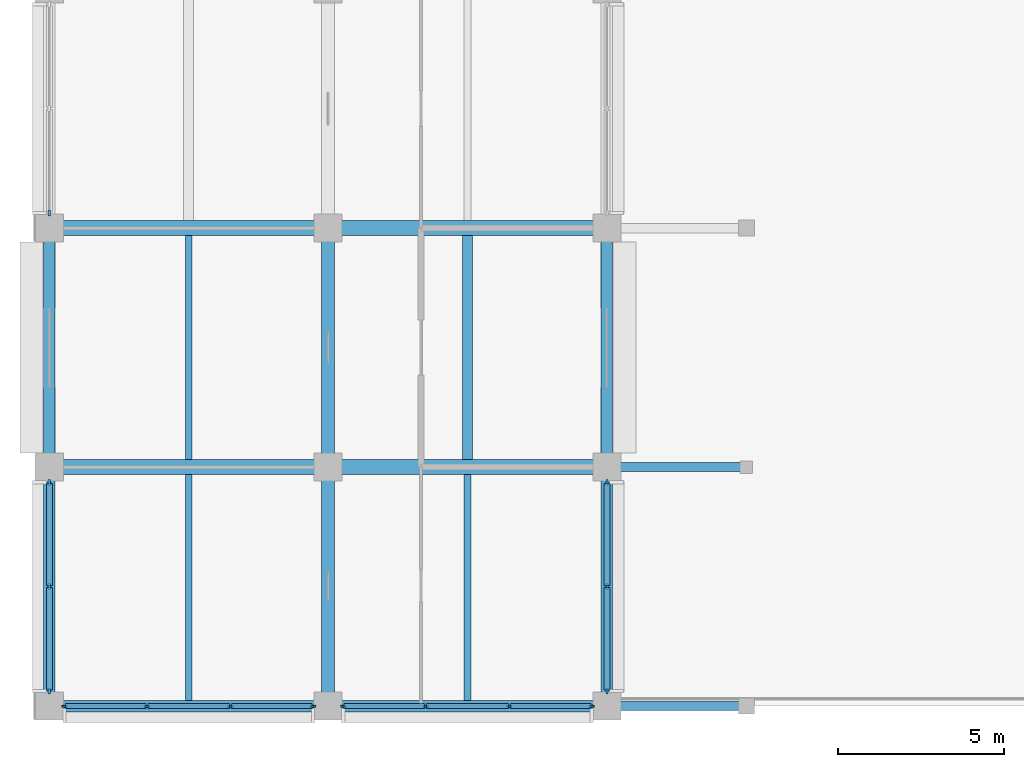
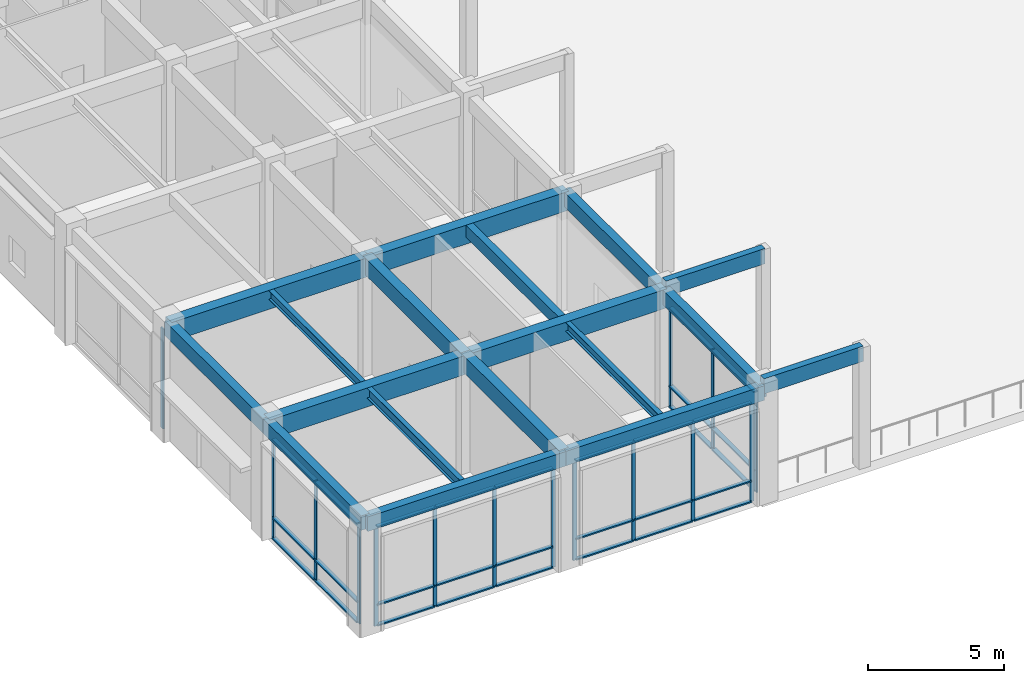
# One storey, part 8 of 73: 45 members, 18 beams, 5 elements without a shape of their own.
"""IFC4 building model written with IfcOpenShell, lengths in metres."""

from ifc_helpers import new_model, si_unit, direction, frame, origin, origin_2d, place, context, subcontext, project, spatial, rectangle, i_section, extrude, material, layer, layer_set, material_profile, profile_set, type_object, element, aggregate, save


model = new_model("IFC4")

# Units and contexts
model_context = context("Model", 3, precision=1e-05, world=origin(), true_north=direction((0.0, 1.0)))
body_context = subcontext(model_context, "Body", "Model", "MODEL_VIEW")
ifc_project = project(units=[si_unit("LENGTHUNIT", "METRE"), si_unit("AREAUNIT", "SQUARE_METRE"), si_unit("VOLUMEUNIT", "CUBIC_METRE"), si_unit("PLANEANGLEUNIT", "RADIAN"), si_unit("MASSUNIT", "GRAM", prefix="KILO")], contexts=[model_context])

# Site, building, storey
site_placement = place(None, origin())
site = spatial("IfcSite", under=ifc_project, at=site_placement, CompositionType="ELEMENT")
building_placement = place(site_placement, origin())
building = spatial("IfcBuilding", under=site, at=building_placement, Name="Chengyuan Square Courthouse", CompositionType="ELEMENT")
storey_placement = place(building_placement, origin())
storey = spatial("IfcBuildingStorey", under=building, at=storey_placement, Name="L01", CompositionType="ELEMENT", Elevation=0.0)

# Beams
ifc_material_1 = material(Name="Concrete C40", Category="concrete")
ifc_material_profile_1 = material_profile(ifc_material_1, rectangle(XDim=0.449951171875, YDim=0.85009765625, at=origin_2d()), Name="RC-BM-450x850")
ifc_profile_set_1 = profile_set([ifc_material_profile_1], Name="Concrete C40")
beam_type_1 = type_object("IfcBeamType", Name="BM-01", PredefinedType="USERDEFINED", material=ifc_profile_set_1)
beam_1_placement = place(storey_placement, frame((0.0, 7.199951171875, 4.695068359375), z_axis=(1.0, 0.0, 0.0), x_axis=(0.0, 1.0, 0.0)))
element("IfcBeam", 1, at=beam_1_placement, inside=storey, type_object=beam_type_1, Name="Girder BM-L01-1645", ObjectType="GIRDER", PredefinedType="USERDEFINED", context=body_context, shape_type="SweptSolid", body=[
    extrude(rectangle(XDim=0.449951171875, YDim=0.85009765625, at=origin_2d()), origin(), (0.0, 0.0, 1.0), 8.39990234375),
])
beam_2_placement = place(storey_placement, frame((8.39990234375, 7.199951171875, 4.695068359375), z_axis=(1.0, 0.0, 0.0), x_axis=(0.0, 1.0, 0.0)))
element("IfcBeam", 2, at=beam_2_placement, inside=storey, type_object=beam_type_1, Name="Girder BM-L01-1646", ObjectType="GIRDER", PredefinedType="USERDEFINED", context=body_context, shape_type="SweptSolid", body=[
    extrude(rectangle(XDim=0.449951171875, YDim=0.85009765625, at=origin_2d()), origin(), (0.0, 0.0, 1.0), 8.400146484375),
])
beam_3_placement = place(storey_placement, frame((0.0, 14.39990234375, 4.695068359375), z_axis=(1.0, 0.0, 0.0), x_axis=(0.0, 1.0, 0.0)))
element("IfcBeam", 3, at=beam_3_placement, inside=storey, type_object=beam_type_1, Name="Girder BM-L01-1649", ObjectType="GIRDER", PredefinedType="USERDEFINED", context=body_context, shape_type="SweptSolid", body=[
    extrude(rectangle(XDim=0.449951171875, YDim=0.85009765625, at=origin_2d()), origin(), (0.0, 0.0, 1.0), 8.39990234375),
])
beam_4_placement = place(storey_placement, frame((8.39990234375, 14.39990234375, 4.695068359375), z_axis=(1.0, 0.0, 0.0), x_axis=(0.0, 1.0, 0.0)))
element("IfcBeam", 4, at=beam_4_placement, inside=storey, type_object=beam_type_1, Name="Girder BM-L01-1650", ObjectType="GIRDER", PredefinedType="USERDEFINED", context=body_context, shape_type="SweptSolid", body=[
    extrude(rectangle(XDim=0.449951171875, YDim=0.85009765625, at=origin_2d()), origin(), (0.0, 0.0, 1.0), 8.400146484375),
])
ifc_material_profile_2 = material_profile(ifc_material_1, rectangle(XDim=0.39990234375, YDim=0.75, at=origin_2d()), Name="RC-BM-400x750")
ifc_profile_set_2 = profile_set([ifc_material_profile_2], Name="Concrete C40")
beam_type_2 = type_object("IfcBeamType", Name="BM-02", PredefinedType="USERDEFINED", material=ifc_profile_set_2)
for number, where, z_axis, x_axis, name in (
    (5, (8.39990234375, 0.0, 4.7451171875), (0.0, 1.0, 0.0), (-1.0, 0.0, 0.0), "Girder BM-L01-1812"),
    (6, (8.39990234375, 7.199951171875, 4.7451171875), (0.0, 1.0, 0.0), (-1.0, 0.0, 0.0), "Girder BM-L01-1813"),
):
    element("IfcBeam", number, at=place(storey_placement, frame(where, z_axis=z_axis, x_axis=x_axis)), inside=storey, type_object=beam_type_2, Name=name, ObjectType="GIRDER", PredefinedType="USERDEFINED", context=body_context, shape_type="SweptSolid", body=[
        extrude(rectangle(XDim=0.39990234375, YDim=0.75, at=origin_2d()), origin(), (0.0, 0.0, 1.0), 7.199951171875),
    ])
ifc_material_profile_3 = material_profile(ifc_material_1, rectangle(XDim=0.35009765625, YDim=0.64990234375, at=origin_2d()), Name="RC-BM-350x650")
ifc_profile_set_3 = profile_set([ifc_material_profile_3], Name="Concrete C40")
beam_type_3 = type_object("IfcBeamType", Name="BM-03", PredefinedType="SPANDREL", material=ifc_profile_set_3)
beam_5_placement = place(storey_placement, frame((0.0, 0.0, 4.794921875), z_axis=(1.0, 0.0, 0.0), x_axis=(0.0, 1.0, 0.0)))
element("IfcBeam", 7, at=beam_5_placement, inside=storey, type_object=beam_type_3, Name="Girder BM-L01-1641", PredefinedType="SPANDREL", context=body_context, shape_type="SweptSolid", body=[
    extrude(rectangle(XDim=0.35009765625, YDim=0.64990234375, at=origin_2d()), origin(), (0.0, 0.0, 1.0), 8.39990234375),
])
beam_6_placement = place(storey_placement, frame((8.39990234375, 0.0, 4.794921875), z_axis=(1.0, 0.0, 0.0), x_axis=(0.0, 1.0, 0.0)))
element("IfcBeam", 8, at=beam_6_placement, inside=storey, type_object=beam_type_3, Name="Girder BM-L01-1642", PredefinedType="SPANDREL", context=body_context, shape_type="SweptSolid", body=[
    extrude(rectangle(XDim=0.35009765625, YDim=0.64990234375, at=origin_2d()), origin(), (0.0, 0.0, 1.0), 8.400146484375),
])
for number, where, z_axis, x_axis, name in (
    (9, (0.0, 0.0, 4.794921875), (0.0, 1.0, 0.0), (-1.0, 0.0, 0.0), "Girder BM-L01-1797"),
    (10, (0.0, 7.199951171875, 4.794921875), (0.0, 1.0, 0.0), (-1.0, 0.0, 0.0), "Girder BM-L01-1798"),
    (11, (16.800048828125, 0.0, 4.794921875), (0.0, 1.0, 0.0), (-1.0, 0.0, 0.0), "Girder BM-L01-1827"),
    (12, (16.800048828125, 7.199951171875, 4.794921875), (0.0, 1.0, 0.0), (-1.0, 0.0, 0.0), "Girder BM-L01-1828"),
):
    element("IfcBeam", number, at=place(storey_placement, frame(where, z_axis=z_axis, x_axis=x_axis)), inside=storey, type_object=beam_type_3, Name=name, PredefinedType="SPANDREL", context=body_context, shape_type="SweptSolid", body=[
        extrude(rectangle(XDim=0.35009765625, YDim=0.64990234375, at=origin_2d()), origin(), (0.0, 0.0, 1.0), 7.199951171875),
    ])
ifc_material_profile_4 = material_profile(ifc_material_1, rectangle(XDim=0.300048828125, YDim=0.550048828125, at=origin_2d()), Name="RC-BM-300x550")
ifc_profile_set_4 = profile_set([ifc_material_profile_4], Name="Concrete C40")
beam_type_4 = type_object("IfcBeamType", Name="BM-04", PredefinedType="BEAM", material=ifc_profile_set_4)
beam_7_placement = place(storey_placement, frame((12.60009765625, 7.425048828125, 4.844970703125), z_axis=(0.0, 1.0, 0.0), x_axis=(-1.0, 0.0, 0.0)))
element("IfcBeam", 13, at=beam_7_placement, inside=storey, type_object=beam_type_4, Name="Secondary Floor Beam SBM-L01-1973", PredefinedType="BEAM", context=body_context, shape_type="SweptSolid", body=[
    extrude(rectangle(XDim=0.300048828125, YDim=0.550048828125, at=origin_2d()), origin(), (0.0, 0.0, 1.0), 6.75),
])
ifc_material_2 = material(Name="Steel Q355B", Category="steel")
ifc_material_profile_5 = material_profile(ifc_material_2, i_section(OverallWidth=0.199951171875, OverallDepth=0.449951171875, WebThickness=0.009033203125, FlangeThickness=0.013916015625, at=origin_2d()), Name="HN 450x200x9x14")
ifc_profile_set_5 = profile_set([ifc_material_profile_5], Name="Steel Q355B")
beam_type_5 = type_object("IfcBeamType", Name="BM-06", PredefinedType="BEAM", material=ifc_profile_set_5)
beam_8_placement = place(storey_placement, frame((4.199951171875, 0.175048828125, 4.89501953125), z_axis=(0.0, 1.0, 0.0), x_axis=(-1.0, 0.0, 0.0)))
element("IfcBeam", 14, at=beam_8_placement, inside=storey, type_object=beam_type_5, Name="Secondary Floor Beam SBM-L01-1957", PredefinedType="BEAM", context=body_context, shape_type="SweptSolid", body=[
    extrude(i_section(OverallWidth=0.199951171875, OverallDepth=0.449951171875, WebThickness=0.009033203125, FlangeThickness=0.013916015625, at=origin_2d()), origin(), (0.0, 0.0, 1.0), 6.800048828125),
])
ifc_material_profile_6 = material_profile(ifc_material_2, i_section(OverallWidth=0.199951171875, OverallDepth=0.39990234375, WebThickness=0.008056640625, FlangeThickness=0.012939453125, at=origin_2d()), Name="HN 400x200x8x13")
ifc_profile_set_6 = profile_set([ifc_material_profile_6], Name="Steel Q355B")
beam_type_6 = type_object("IfcBeamType", Name="BM-07", PredefinedType="BEAM", material=ifc_profile_set_6)
beam_9_placement = place(storey_placement, frame((4.199951171875, 7.425048828125, 4.919921875), z_axis=(0.0, 1.0, 0.0), x_axis=(-1.0, 0.0, 0.0)))
element("IfcBeam", 15, at=beam_9_placement, inside=storey, type_object=beam_type_6, Name="Secondary Floor Beam SBM-L01-1958", PredefinedType="BEAM", context=body_context, shape_type="SweptSolid", body=[
    extrude(i_section(OverallWidth=0.199951171875, OverallDepth=0.39990234375, WebThickness=0.008056640625, FlangeThickness=0.012939453125, at=origin_2d()), origin(), (0.0, 0.0, 1.0), 6.75),
])
beam_10_placement = place(storey_placement, frame((12.60009765625, 0.175048828125, 4.919921875), z_axis=(0.0, 1.0, 0.0), x_axis=(-1.0, 0.0, 0.0)))
element("IfcBeam", 16, at=beam_10_placement, inside=storey, type_object=beam_type_6, Name="Secondary Floor Beam SBM-L01-1972", PredefinedType="BEAM", context=body_context, shape_type="SweptSolid", body=[
    extrude(i_section(OverallWidth=0.199951171875, OverallDepth=0.39990234375, WebThickness=0.008056640625, FlangeThickness=0.012939453125, at=origin_2d()), origin(), (0.0, 0.0, 1.0), 6.800048828125),
])

# Curtain wall, members
ifc_material_3 = material(Name="Unitised Aluminium and Triple Low-E Glass", Category="aluminium")
ifc_layer_1 = layer(ifc_material_3, 0.159912109375)
ifc_layer_set_1 = layer_set([ifc_layer_1], Name="Unitised Aluminium and Triple Low-E Glass")
curtain_wall_type_1 = type_object("IfcCurtainWallType", Name="CW-01", PredefinedType="USERDEFINED", material=ifc_layer_set_1)
curtain_wall_1_placement = place(storey_placement, origin())
curtain_wall_1 = element("IfcCurtainWall", 17, at=curtain_wall_1_placement, inside=storey, type_object=curtain_wall_type_1, Name="Unitised Curtain Wall CW-L01-001", ObjectType="UNITISED CURTAIN WALL", PredefinedType="USERDEFINED")
ifc_material_4 = material(Name="Aluminium 6063-T6 Frame", Category="aluminium")
ifc_material_profile_7 = material_profile(ifc_material_4, rectangle(XDim=0.06005859375, YDim=0.159912109375, at=origin_2d()), Name="CW-MUL-60x160")
ifc_profile_set_7 = profile_set([ifc_material_profile_7], Name="Aluminium 6063-T6 Frame")
member_type_1 = type_object("IfcMemberType", Name="CWM-01", PredefinedType="MULLION", material=ifc_profile_set_7)
member_1_placement = place(storey_placement, frame((0.455078125, 0.0, 0.0), z_axis=(0.0, 0.0, 1.0), x_axis=(0.0, 1.0, 0.0)))
member_1 = element("IfcMember", 18, at=member_1_placement, type_object=member_type_1, Name="CW-01 mullion 1", PredefinedType="MULLION", context=body_context, shape_type="SweptSolid", body=[
    extrude(rectangle(XDim=0.06005859375, YDim=0.159912109375, at=origin_2d()), origin(), (0.0, 0.0, 1.0), 4.469970703125),
])
member_2_placement = place(storey_placement, frame((2.941650390625, 0.0, 0.0), z_axis=(0.0, 0.0, 1.0), x_axis=(0.0, 1.0, 0.0)))
member_2 = element("IfcMember", 19, at=member_2_placement, type_object=member_type_1, Name="CW-01 mullion 2", PredefinedType="MULLION", context=body_context, shape_type="SweptSolid", body=[
    extrude(rectangle(XDim=0.06005859375, YDim=0.159912109375, at=origin_2d()), origin(), (0.0, 0.0, 1.0), 4.469970703125),
])
member_3_placement = place(storey_placement, frame((5.458251953125, 0.0, 0.0), z_axis=(0.0, 0.0, 1.0), x_axis=(0.0, 1.0, 0.0)))
member_3 = element("IfcMember", 20, at=member_3_placement, type_object=member_type_1, Name="CW-01 mullion 3", PredefinedType="MULLION", context=body_context, shape_type="SweptSolid", body=[
    extrude(rectangle(XDim=0.06005859375, YDim=0.159912109375, at=origin_2d()), origin(), (0.0, 0.0, 1.0), 4.469970703125),
])
member_4_placement = place(storey_placement, frame((7.945068359375, 0.0, 0.0), z_axis=(0.0, 0.0, 1.0), x_axis=(0.0, 1.0, 0.0)))
member_4 = element("IfcMember", 21, at=member_4_placement, type_object=member_type_1, Name="CW-01 mullion 4", PredefinedType="MULLION", context=body_context, shape_type="SweptSolid", body=[
    extrude(rectangle(XDim=0.06005859375, YDim=0.159912109375, at=origin_2d()), origin(), (0.0, 0.0, 1.0), 4.469970703125),
])

curtain_wall_2_placement = place(storey_placement, origin())
curtain_wall_2 = element("IfcCurtainWall", 22, at=curtain_wall_2_placement, inside=storey, type_object=curtain_wall_type_1, Name="Unitised Curtain Wall CW-L01-010", ObjectType="UNITISED CURTAIN WALL", PredefinedType="USERDEFINED")
member_5_placement = place(storey_placement, frame((8.85498046875, 0.0, 0.0), z_axis=(0.0, 0.0, 1.0), x_axis=(0.0, 1.0, 0.0)))
member_5 = element("IfcMember", 23, at=member_5_placement, type_object=member_type_1, Name="CW-01 mullion 1", PredefinedType="MULLION", context=body_context, shape_type="SweptSolid", body=[
    extrude(rectangle(XDim=0.06005859375, YDim=0.159912109375, at=origin_2d()), origin(), (0.0, 0.0, 1.0), 4.469970703125),
])
member_6_placement = place(storey_placement, frame((11.341552734375, 0.0, 0.0), z_axis=(0.0, 0.0, 1.0), x_axis=(0.0, 1.0, 0.0)))
member_6 = element("IfcMember", 24, at=member_6_placement, type_object=member_type_1, Name="CW-01 mullion 2", PredefinedType="MULLION", context=body_context, shape_type="SweptSolid", body=[
    extrude(rectangle(XDim=0.06005859375, YDim=0.159912109375, at=origin_2d()), origin(), (0.0, 0.0, 1.0), 4.469970703125),
])
member_7_placement = place(storey_placement, frame((13.8583984375, 0.0, 0.0), z_axis=(0.0, 0.0, 1.0), x_axis=(0.0, 1.0, 0.0)))
member_7 = element("IfcMember", 25, at=member_7_placement, type_object=member_type_1, Name="CW-01 mullion 3", PredefinedType="MULLION", context=body_context, shape_type="SweptSolid", body=[
    extrude(rectangle(XDim=0.06005859375, YDim=0.159912109375, at=origin_2d()), origin(), (0.0, 0.0, 1.0), 4.469970703125),
])
member_8_placement = place(storey_placement, frame((16.344970703125, 0.0, 0.0), z_axis=(0.0, 0.0, 1.0), x_axis=(0.0, 1.0, 0.0)))
member_8 = element("IfcMember", 26, at=member_8_placement, type_object=member_type_1, Name="CW-01 mullion 4", PredefinedType="MULLION", context=body_context, shape_type="SweptSolid", body=[
    extrude(rectangle(XDim=0.06005859375, YDim=0.159912109375, at=origin_2d()), origin(), (0.0, 0.0, 1.0), 4.469970703125),
])

ifc_layer_2 = layer(ifc_material_3, 0.179931640625)
ifc_layer_set_2 = layer_set([ifc_layer_2], Name="Unitised Aluminium and Triple Low-E Glass")
curtain_wall_type_2 = type_object("IfcCurtainWallType", Name="CW-14", PredefinedType="USERDEFINED", material=ifc_layer_set_2)
curtain_wall_3_placement = place(storey_placement, origin())
curtain_wall_3 = element("IfcCurtainWall", 27, at=curtain_wall_3_placement, inside=storey, type_object=curtain_wall_type_2, Name="Unitised Curtain Wall CW-L01-002", ObjectType="UNITISED CURTAIN WALL", PredefinedType="USERDEFINED")
ifc_material_profile_8 = material_profile(ifc_material_4, rectangle(XDim=0.06494140625, YDim=0.179931640625, at=origin_2d()), Name="CW-MUL-65x180")
ifc_profile_set_8 = profile_set([ifc_material_profile_8], Name="Aluminium 6063-T6 Frame")
member_type_2 = type_object("IfcMemberType", Name="CWM-02", PredefinedType="MULLION", material=ifc_profile_set_8)
member_9_placement = place(storey_placement, frame((0.0, 0.45751953125, 0.0), z_axis=(0.0, 0.0, 1.0), x_axis=(-1.0, 0.0, 0.0)))
member_9 = element("IfcMember", 28, at=member_9_placement, type_object=member_type_2, Name="CW-14 mullion 1", PredefinedType="MULLION", context=body_context, shape_type="SweptSolid", body=[
    extrude(rectangle(XDim=0.06494140625, YDim=0.179931640625, at=origin_2d()), origin(), (0.0, 0.0, 1.0), 4.469970703125),
])
member_10_placement = place(storey_placement, frame((0.0, 3.60009765625, 0.0), z_axis=(0.0, 0.0, 1.0), x_axis=(-1.0, 0.0, 0.0)))
member_10 = element("IfcMember", 29, at=member_10_placement, type_object=member_type_2, Name="CW-14 mullion 2", PredefinedType="MULLION", context=body_context, shape_type="SweptSolid", body=[
    extrude(rectangle(XDim=0.06494140625, YDim=0.179931640625, at=origin_2d()), origin(), (0.0, 0.0, 1.0), 4.469970703125),
])
member_11_placement = place(storey_placement, frame((0.0, 6.742431640625, 0.0), z_axis=(0.0, 0.0, 1.0), x_axis=(-1.0, 0.0, 0.0)))
member_11 = element("IfcMember", 30, at=member_11_placement, type_object=member_type_2, Name="CW-14 mullion 3", PredefinedType="MULLION", context=body_context, shape_type="SweptSolid", body=[
    extrude(rectangle(XDim=0.06494140625, YDim=0.179931640625, at=origin_2d()), origin(), (0.0, 0.0, 1.0), 4.469970703125),
])

# Curtain wall, member
curtain_wall_4_placement = place(storey_placement, origin())
curtain_wall_4 = element("IfcCurtainWall", 31, at=curtain_wall_4_placement, inside=storey, type_object=curtain_wall_type_2, Name="Unitised Curtain Wall CW-L01-003", ObjectType="UNITISED CURTAIN WALL", PredefinedType="USERDEFINED")
member_12_placement = place(storey_placement, frame((0.0, 14.857421875, 0.0), z_axis=(0.0, 0.0, 1.0), x_axis=(-1.0, 0.0, 0.0)))
member_12 = element("IfcMember", 32, at=member_12_placement, type_object=member_type_2, Name="CW-14 mullion 1", PredefinedType="MULLION", context=body_context, shape_type="SweptSolid", body=[
    extrude(rectangle(XDim=0.06494140625, YDim=0.179931640625, at=origin_2d()), origin(), (0.0, 0.0, 1.0), 4.469970703125),
])
aggregate(curtain_wall_4, [member_12])

# Curtain wall, members
curtain_wall_5_placement = place(storey_placement, origin())
curtain_wall_5 = element("IfcCurtainWall", 33, at=curtain_wall_5_placement, inside=storey, type_object=curtain_wall_type_2, Name="Unitised Curtain Wall CW-L01-011", ObjectType="UNITISED CURTAIN WALL", PredefinedType="USERDEFINED")
member_13_placement = place(storey_placement, frame((16.800048828125, 0.45751953125, 0.0), z_axis=(0.0, 0.0, 1.0), x_axis=(-1.0, 0.0, 0.0)))
member_13 = element("IfcMember", 34, at=member_13_placement, type_object=member_type_2, Name="CW-14 mullion 1", PredefinedType="MULLION", context=body_context, shape_type="SweptSolid", body=[
    extrude(rectangle(XDim=0.06494140625, YDim=0.179931640625, at=origin_2d()), origin(), (0.0, 0.0, 1.0), 4.469970703125),
])
member_14_placement = place(storey_placement, frame((16.800048828125, 3.60009765625, 0.0), z_axis=(0.0, 0.0, 1.0), x_axis=(-1.0, 0.0, 0.0)))
member_14 = element("IfcMember", 35, at=member_14_placement, type_object=member_type_2, Name="CW-14 mullion 2", PredefinedType="MULLION", context=body_context, shape_type="SweptSolid", body=[
    extrude(rectangle(XDim=0.06494140625, YDim=0.179931640625, at=origin_2d()), origin(), (0.0, 0.0, 1.0), 4.469970703125),
])
member_15_placement = place(storey_placement, frame((16.800048828125, 6.742431640625, 0.0), z_axis=(0.0, 0.0, 1.0), x_axis=(-1.0, 0.0, 0.0)))
member_15 = element("IfcMember", 36, at=member_15_placement, type_object=member_type_2, Name="CW-14 mullion 3", PredefinedType="MULLION", context=body_context, shape_type="SweptSolid", body=[
    extrude(rectangle(XDim=0.06494140625, YDim=0.179931640625, at=origin_2d()), origin(), (0.0, 0.0, 1.0), 4.469970703125),
])

# Member
ifc_material_profile_9 = material_profile(ifc_material_4, rectangle(XDim=0.159912109375, YDim=0.06005859375, at=origin_2d()), Name="CW-TRN-60x120")
ifc_profile_set_9 = profile_set([ifc_material_profile_9], Name="Aluminium 6063-T6 Frame")
member_type_3 = type_object("IfcMemberType", Name="CWT-01", PredefinedType="USERDEFINED", material=ifc_profile_set_9)
member_16_placement = place(storey_placement, frame((0.485107421875, 0.0, 0.030029296875), z_axis=(1.0, 0.0, 0.0), x_axis=(0.0, 1.0, 0.0)))
member_16 = element("IfcMember", 37, at=member_16_placement, type_object=member_type_3, Name="CW-01 transom 1.1", ObjectType="TRANSOM", PredefinedType="USERDEFINED", context=body_context, shape_type="SweptSolid", body=[
    extrude(rectangle(XDim=0.159912109375, YDim=0.06005859375, at=origin_2d()), origin(), (0.0, 0.0, 1.0), 2.426513671875),
])

member_17_placement = place(storey_placement, frame((0.485107421875, 0.0, 0.949951171875), z_axis=(1.0, 0.0, 0.0), x_axis=(0.0, 1.0, 0.0)))
member_17 = element("IfcMember", 38, at=member_17_placement, type_object=member_type_3, Name="CW-01 transom 1.2", ObjectType="TRANSOM", PredefinedType="USERDEFINED", context=body_context, shape_type="SweptSolid", body=[
    extrude(rectangle(XDim=0.159912109375, YDim=0.06005859375, at=origin_2d()), origin(), (0.0, 0.0, 1.0), 2.426513671875),
])

member_18_placement = place(storey_placement, frame((0.485107421875, 0.0, 4.43994140625), z_axis=(1.0, 0.0, 0.0), x_axis=(0.0, 1.0, 0.0)))
member_18 = element("IfcMember", 39, at=member_18_placement, type_object=member_type_3, Name="CW-01 transom 1.3", ObjectType="TRANSOM", PredefinedType="USERDEFINED", context=body_context, shape_type="SweptSolid", body=[
    extrude(rectangle(XDim=0.159912109375, YDim=0.06005859375, at=origin_2d()), origin(), (0.0, 0.0, 1.0), 2.426513671875),
])

member_19_placement = place(storey_placement, frame((2.9716796875, 0.0, 0.030029296875), z_axis=(1.0, 0.0, 0.0), x_axis=(0.0, 1.0, 0.0)))
member_19 = element("IfcMember", 40, at=member_19_placement, type_object=member_type_3, Name="CW-01 transom 2.1", ObjectType="TRANSOM", PredefinedType="USERDEFINED", context=body_context, shape_type="SweptSolid", body=[
    extrude(rectangle(XDim=0.159912109375, YDim=0.06005859375, at=origin_2d()), origin(), (0.0, 0.0, 1.0), 2.45654296875),
])

member_20_placement = place(storey_placement, frame((2.9716796875, 0.0, 0.949951171875), z_axis=(1.0, 0.0, 0.0), x_axis=(0.0, 1.0, 0.0)))
member_20 = element("IfcMember", 41, at=member_20_placement, type_object=member_type_3, Name="CW-01 transom 2.2", ObjectType="TRANSOM", PredefinedType="USERDEFINED", context=body_context, shape_type="SweptSolid", body=[
    extrude(rectangle(XDim=0.159912109375, YDim=0.06005859375, at=origin_2d()), origin(), (0.0, 0.0, 1.0), 2.45654296875),
])

member_21_placement = place(storey_placement, frame((2.9716796875, 0.0, 4.43994140625), z_axis=(1.0, 0.0, 0.0), x_axis=(0.0, 1.0, 0.0)))
member_21 = element("IfcMember", 42, at=member_21_placement, type_object=member_type_3, Name="CW-01 transom 2.3", ObjectType="TRANSOM", PredefinedType="USERDEFINED", context=body_context, shape_type="SweptSolid", body=[
    extrude(rectangle(XDim=0.159912109375, YDim=0.06005859375, at=origin_2d()), origin(), (0.0, 0.0, 1.0), 2.45654296875),
])

member_22_placement = place(storey_placement, frame((5.48828125, 0.0, 0.030029296875), z_axis=(1.0, 0.0, 0.0), x_axis=(0.0, 1.0, 0.0)))
member_22 = element("IfcMember", 43, at=member_22_placement, type_object=member_type_3, Name="CW-01 transom 3.1", ObjectType="TRANSOM", PredefinedType="USERDEFINED", context=body_context, shape_type="SweptSolid", body=[
    extrude(rectangle(XDim=0.159912109375, YDim=0.06005859375, at=origin_2d()), origin(), (0.0, 0.0, 1.0), 2.4267578125),
])

member_23_placement = place(storey_placement, frame((5.48828125, 0.0, 0.949951171875), z_axis=(1.0, 0.0, 0.0), x_axis=(0.0, 1.0, 0.0)))
member_23 = element("IfcMember", 44, at=member_23_placement, type_object=member_type_3, Name="CW-01 transom 3.2", ObjectType="TRANSOM", PredefinedType="USERDEFINED", context=body_context, shape_type="SweptSolid", body=[
    extrude(rectangle(XDim=0.159912109375, YDim=0.06005859375, at=origin_2d()), origin(), (0.0, 0.0, 1.0), 2.4267578125),
])

member_24_placement = place(storey_placement, frame((5.48828125, 0.0, 4.43994140625), z_axis=(1.0, 0.0, 0.0), x_axis=(0.0, 1.0, 0.0)))
member_24 = element("IfcMember", 45, at=member_24_placement, type_object=member_type_3, Name="CW-01 transom 3.3", ObjectType="TRANSOM", PredefinedType="USERDEFINED", context=body_context, shape_type="SweptSolid", body=[
    extrude(rectangle(XDim=0.159912109375, YDim=0.06005859375, at=origin_2d()), origin(), (0.0, 0.0, 1.0), 2.4267578125),
])

aggregate(curtain_wall_1, [member_1, member_2, member_3, member_4, member_16, member_17, member_18, member_19, member_20, member_21, member_22, member_23, member_24])

member_25_placement = place(storey_placement, frame((8.885009765625, 0.0, 0.030029296875), z_axis=(1.0, 0.0, 0.0), x_axis=(0.0, 1.0, 0.0)))
member_25 = element("IfcMember", 46, at=member_25_placement, type_object=member_type_3, Name="CW-01 transom 1.1", ObjectType="TRANSOM", PredefinedType="USERDEFINED", context=body_context, shape_type="SweptSolid", body=[
    extrude(rectangle(XDim=0.159912109375, YDim=0.06005859375, at=origin_2d()), origin(), (0.0, 0.0, 1.0), 2.4267578125),
])

member_26_placement = place(storey_placement, frame((8.885009765625, 0.0, 0.949951171875), z_axis=(1.0, 0.0, 0.0), x_axis=(0.0, 1.0, 0.0)))
member_26 = element("IfcMember", 47, at=member_26_placement, type_object=member_type_3, Name="CW-01 transom 1.2", ObjectType="TRANSOM", PredefinedType="USERDEFINED", context=body_context, shape_type="SweptSolid", body=[
    extrude(rectangle(XDim=0.159912109375, YDim=0.06005859375, at=origin_2d()), origin(), (0.0, 0.0, 1.0), 2.4267578125),
])

member_27_placement = place(storey_placement, frame((8.885009765625, 0.0, 4.43994140625), z_axis=(1.0, 0.0, 0.0), x_axis=(0.0, 1.0, 0.0)))
member_27 = element("IfcMember", 48, at=member_27_placement, type_object=member_type_3, Name="CW-01 transom 1.3", ObjectType="TRANSOM", PredefinedType="USERDEFINED", context=body_context, shape_type="SweptSolid", body=[
    extrude(rectangle(XDim=0.159912109375, YDim=0.06005859375, at=origin_2d()), origin(), (0.0, 0.0, 1.0), 2.4267578125),
])

member_28_placement = place(storey_placement, frame((11.37158203125, 0.0, 0.030029296875), z_axis=(1.0, 0.0, 0.0), x_axis=(0.0, 1.0, 0.0)))
member_28 = element("IfcMember", 49, at=member_28_placement, type_object=member_type_3, Name="CW-01 transom 2.1", ObjectType="TRANSOM", PredefinedType="USERDEFINED", context=body_context, shape_type="SweptSolid", body=[
    extrude(rectangle(XDim=0.159912109375, YDim=0.06005859375, at=origin_2d()), origin(), (0.0, 0.0, 1.0), 2.456787109375),
])

member_29_placement = place(storey_placement, frame((11.37158203125, 0.0, 0.949951171875), z_axis=(1.0, 0.0, 0.0), x_axis=(0.0, 1.0, 0.0)))
member_29 = element("IfcMember", 50, at=member_29_placement, type_object=member_type_3, Name="CW-01 transom 2.2", ObjectType="TRANSOM", PredefinedType="USERDEFINED", context=body_context, shape_type="SweptSolid", body=[
    extrude(rectangle(XDim=0.159912109375, YDim=0.06005859375, at=origin_2d()), origin(), (0.0, 0.0, 1.0), 2.456787109375),
])

member_30_placement = place(storey_placement, frame((11.37158203125, 0.0, 4.43994140625), z_axis=(1.0, 0.0, 0.0), x_axis=(0.0, 1.0, 0.0)))
member_30 = element("IfcMember", 51, at=member_30_placement, type_object=member_type_3, Name="CW-01 transom 2.3", ObjectType="TRANSOM", PredefinedType="USERDEFINED", context=body_context, shape_type="SweptSolid", body=[
    extrude(rectangle(XDim=0.159912109375, YDim=0.06005859375, at=origin_2d()), origin(), (0.0, 0.0, 1.0), 2.456787109375),
])

member_31_placement = place(storey_placement, frame((13.888427734375, 0.0, 0.030029296875), z_axis=(1.0, 0.0, 0.0), x_axis=(0.0, 1.0, 0.0)))
member_31 = element("IfcMember", 52, at=member_31_placement, type_object=member_type_3, Name="CW-01 transom 3.1", ObjectType="TRANSOM", PredefinedType="USERDEFINED", context=body_context, shape_type="SweptSolid", body=[
    extrude(rectangle(XDim=0.159912109375, YDim=0.06005859375, at=origin_2d()), origin(), (0.0, 0.0, 1.0), 2.426513671875),
])

member_32_placement = place(storey_placement, frame((13.888427734375, 0.0, 0.949951171875), z_axis=(1.0, 0.0, 0.0), x_axis=(0.0, 1.0, 0.0)))
member_32 = element("IfcMember", 53, at=member_32_placement, type_object=member_type_3, Name="CW-01 transom 3.2", ObjectType="TRANSOM", PredefinedType="USERDEFINED", context=body_context, shape_type="SweptSolid", body=[
    extrude(rectangle(XDim=0.159912109375, YDim=0.06005859375, at=origin_2d()), origin(), (0.0, 0.0, 1.0), 2.426513671875),
])

member_33_placement = place(storey_placement, frame((13.888427734375, 0.0, 4.43994140625), z_axis=(1.0, 0.0, 0.0), x_axis=(0.0, 1.0, 0.0)))
member_33 = element("IfcMember", 54, at=member_33_placement, type_object=member_type_3, Name="CW-01 transom 3.3", ObjectType="TRANSOM", PredefinedType="USERDEFINED", context=body_context, shape_type="SweptSolid", body=[
    extrude(rectangle(XDim=0.159912109375, YDim=0.06005859375, at=origin_2d()), origin(), (0.0, 0.0, 1.0), 2.426513671875),
])

aggregate(curtain_wall_2, [member_5, member_6, member_7, member_8, member_25, member_26, member_27, member_28, member_29, member_30, member_31, member_32, member_33])

ifc_material_profile_10 = material_profile(ifc_material_4, rectangle(XDim=0.179931640625, YDim=0.06494140625, at=origin_2d()), Name="CW-TRN-65x140")
ifc_profile_set_10 = profile_set([ifc_material_profile_10], Name="Aluminium 6063-T6 Frame")
member_type_4 = type_object("IfcMemberType", Name="CWT-02", PredefinedType="USERDEFINED", material=ifc_profile_set_10)
member_34_placement = place(storey_placement, frame((0.0, 0.489990234375, 0.032470703125), z_axis=(0.0, 1.0, 0.0), x_axis=(-1.0, 0.0, 0.0)))
member_34 = element("IfcMember", 55, at=member_34_placement, type_object=member_type_4, Name="CW-14 transom 1.1", ObjectType="TRANSOM", PredefinedType="USERDEFINED", context=body_context, shape_type="SweptSolid", body=[
    extrude(rectangle(XDim=0.179931640625, YDim=0.06494140625, at=origin_2d()), origin(), (0.0, 0.0, 1.0), 3.077392578125),
])

member_35_placement = place(storey_placement, frame((0.0, 0.489990234375, 0.949951171875), z_axis=(0.0, 1.0, 0.0), x_axis=(-1.0, 0.0, 0.0)))
member_35 = element("IfcMember", 56, at=member_35_placement, type_object=member_type_4, Name="CW-14 transom 1.2", ObjectType="TRANSOM", PredefinedType="USERDEFINED", context=body_context, shape_type="SweptSolid", body=[
    extrude(rectangle(XDim=0.179931640625, YDim=0.06494140625, at=origin_2d()), origin(), (0.0, 0.0, 1.0), 3.077392578125),
])

member_36_placement = place(storey_placement, frame((0.0, 0.489990234375, 4.4375), z_axis=(0.0, 1.0, 0.0), x_axis=(-1.0, 0.0, 0.0)))
member_36 = element("IfcMember", 57, at=member_36_placement, type_object=member_type_4, Name="CW-14 transom 1.3", ObjectType="TRANSOM", PredefinedType="USERDEFINED", context=body_context, shape_type="SweptSolid", body=[
    extrude(rectangle(XDim=0.179931640625, YDim=0.06494140625, at=origin_2d()), origin(), (0.0, 0.0, 1.0), 3.077392578125),
])

member_37_placement = place(storey_placement, frame((0.0, 3.632568359375, 0.032470703125), z_axis=(0.0, 1.0, 0.0), x_axis=(-1.0, 0.0, 0.0)))
member_37 = element("IfcMember", 58, at=member_37_placement, type_object=member_type_4, Name="CW-14 transom 2.1", ObjectType="TRANSOM", PredefinedType="USERDEFINED", context=body_context, shape_type="SweptSolid", body=[
    extrude(rectangle(XDim=0.179931640625, YDim=0.06494140625, at=origin_2d()), origin(), (0.0, 0.0, 1.0), 3.077392578125),
])

member_38_placement = place(storey_placement, frame((0.0, 3.632568359375, 0.949951171875), z_axis=(0.0, 1.0, 0.0), x_axis=(-1.0, 0.0, 0.0)))
member_38 = element("IfcMember", 59, at=member_38_placement, type_object=member_type_4, Name="CW-14 transom 2.2", ObjectType="TRANSOM", PredefinedType="USERDEFINED", context=body_context, shape_type="SweptSolid", body=[
    extrude(rectangle(XDim=0.179931640625, YDim=0.06494140625, at=origin_2d()), origin(), (0.0, 0.0, 1.0), 3.077392578125),
])

member_39_placement = place(storey_placement, frame((0.0, 3.632568359375, 4.4375), z_axis=(0.0, 1.0, 0.0), x_axis=(-1.0, 0.0, 0.0)))
member_39 = element("IfcMember", 60, at=member_39_placement, type_object=member_type_4, Name="CW-14 transom 2.3", ObjectType="TRANSOM", PredefinedType="USERDEFINED", context=body_context, shape_type="SweptSolid", body=[
    extrude(rectangle(XDim=0.179931640625, YDim=0.06494140625, at=origin_2d()), origin(), (0.0, 0.0, 1.0), 3.077392578125),
])

aggregate(curtain_wall_3, [member_9, member_10, member_11, member_34, member_35, member_36, member_37, member_38, member_39])

member_40_placement = place(storey_placement, frame((16.800048828125, 0.489990234375, 0.032470703125), z_axis=(0.0, 1.0, 0.0), x_axis=(-1.0, 0.0, 0.0)))
member_40 = element("IfcMember", 61, at=member_40_placement, type_object=member_type_4, Name="CW-14 transom 1.1", ObjectType="TRANSOM", PredefinedType="USERDEFINED", context=body_context, shape_type="SweptSolid", body=[
    extrude(rectangle(XDim=0.179931640625, YDim=0.06494140625, at=origin_2d()), origin(), (0.0, 0.0, 1.0), 3.077392578125),
])

member_41_placement = place(storey_placement, frame((16.800048828125, 0.489990234375, 0.949951171875), z_axis=(0.0, 1.0, 0.0), x_axis=(-1.0, 0.0, 0.0)))
member_41 = element("IfcMember", 62, at=member_41_placement, type_object=member_type_4, Name="CW-14 transom 1.2", ObjectType="TRANSOM", PredefinedType="USERDEFINED", context=body_context, shape_type="SweptSolid", body=[
    extrude(rectangle(XDim=0.179931640625, YDim=0.06494140625, at=origin_2d()), origin(), (0.0, 0.0, 1.0), 3.077392578125),
])

member_42_placement = place(storey_placement, frame((16.800048828125, 0.489990234375, 4.4375), z_axis=(0.0, 1.0, 0.0), x_axis=(-1.0, 0.0, 0.0)))
member_42 = element("IfcMember", 63, at=member_42_placement, type_object=member_type_4, Name="CW-14 transom 1.3", ObjectType="TRANSOM", PredefinedType="USERDEFINED", context=body_context, shape_type="SweptSolid", body=[
    extrude(rectangle(XDim=0.179931640625, YDim=0.06494140625, at=origin_2d()), origin(), (0.0, 0.0, 1.0), 3.077392578125),
])

member_43_placement = place(storey_placement, frame((16.800048828125, 3.632568359375, 0.032470703125), z_axis=(0.0, 1.0, 0.0), x_axis=(-1.0, 0.0, 0.0)))
member_43 = element("IfcMember", 64, at=member_43_placement, type_object=member_type_4, Name="CW-14 transom 2.1", ObjectType="TRANSOM", PredefinedType="USERDEFINED", context=body_context, shape_type="SweptSolid", body=[
    extrude(rectangle(XDim=0.179931640625, YDim=0.06494140625, at=origin_2d()), origin(), (0.0, 0.0, 1.0), 3.077392578125),
])

member_44_placement = place(storey_placement, frame((16.800048828125, 3.632568359375, 0.949951171875), z_axis=(0.0, 1.0, 0.0), x_axis=(-1.0, 0.0, 0.0)))
member_44 = element("IfcMember", 65, at=member_44_placement, type_object=member_type_4, Name="CW-14 transom 2.2", ObjectType="TRANSOM", PredefinedType="USERDEFINED", context=body_context, shape_type="SweptSolid", body=[
    extrude(rectangle(XDim=0.179931640625, YDim=0.06494140625, at=origin_2d()), origin(), (0.0, 0.0, 1.0), 3.077392578125),
])

member_45_placement = place(storey_placement, frame((16.800048828125, 3.632568359375, 4.4375), z_axis=(0.0, 1.0, 0.0), x_axis=(-1.0, 0.0, 0.0)))
member_45 = element("IfcMember", 66, at=member_45_placement, type_object=member_type_4, Name="CW-14 transom 2.3", ObjectType="TRANSOM", PredefinedType="USERDEFINED", context=body_context, shape_type="SweptSolid", body=[
    extrude(rectangle(XDim=0.179931640625, YDim=0.06494140625, at=origin_2d()), origin(), (0.0, 0.0, 1.0), 3.077392578125),
])

aggregate(curtain_wall_5, [member_13, member_14, member_15, member_40, member_41, member_42, member_43, member_44, member_45])

# Beams
ifc_material_5 = material(Name="Glulam TCt28", Category="wood")
ifc_material_profile_11 = material_profile(ifc_material_5, rectangle(XDim=0.280029296875, YDim=0.679931640625, at=origin_2d()), Name="GL-BM-280x680")
ifc_profile_set_11 = profile_set([ifc_material_profile_11], Name="Glulam TCt28")
beam_type_7 = type_object("IfcBeamType", Name="GLB-01", PredefinedType="BEAM", material=ifc_profile_set_11)
for number, where, z_axis, x_axis, name in (
    (67, (16.800048828125, 0.0, 5.06005859375), (1.0, 0.0, 0.0), (0.0, 1.0, 0.0), "Glulam Colonnade Portal Beam GLB-L01-001"),
    (68, (16.800048828125, 7.199951171875, 5.06005859375), (1.0, 0.0, 0.0), (0.0, 1.0, 0.0), "Glulam Colonnade Portal Beam GLB-L01-003"),
):
    element("IfcBeam", number, at=place(storey_placement, frame(where, z_axis=z_axis, x_axis=x_axis)), inside=storey, type_object=beam_type_7, Name=name, PredefinedType="BEAM", context=body_context, shape_type="SweptSolid", body=[
        extrude(rectangle(XDim=0.280029296875, YDim=0.679931640625, at=origin_2d()), origin(), (0.0, 0.0, 1.0), 4.199951171875),
    ])

save(model, "model.ifc")
